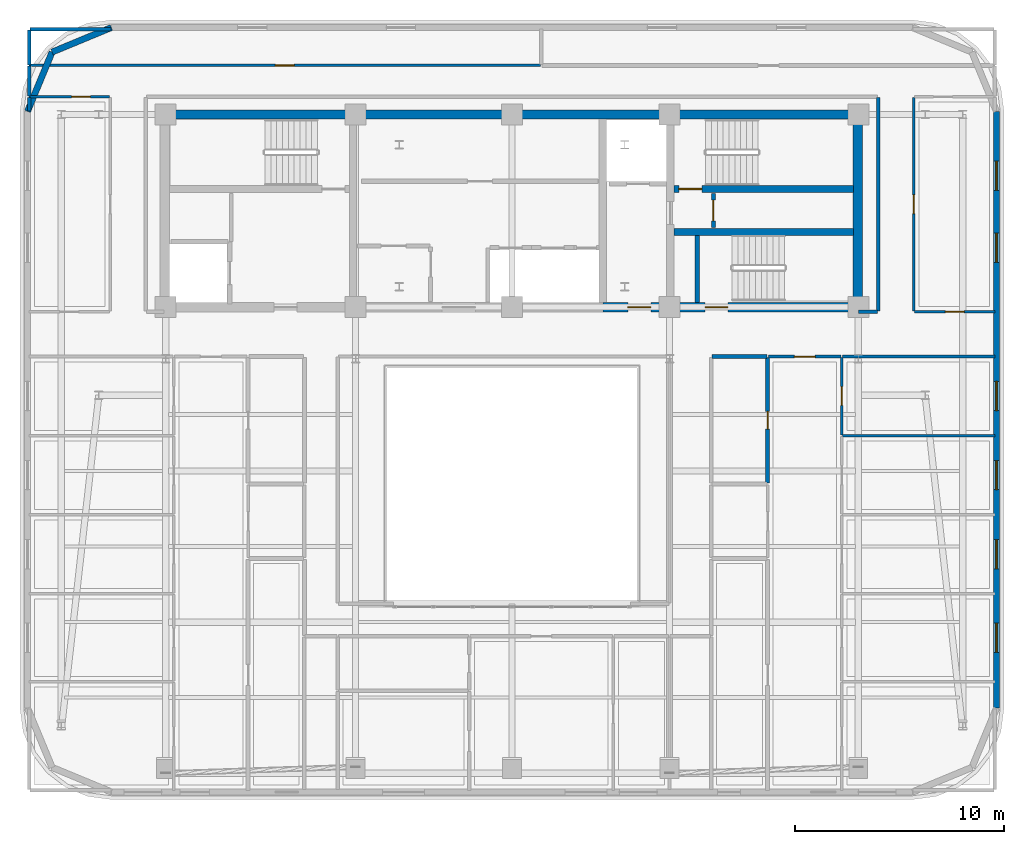
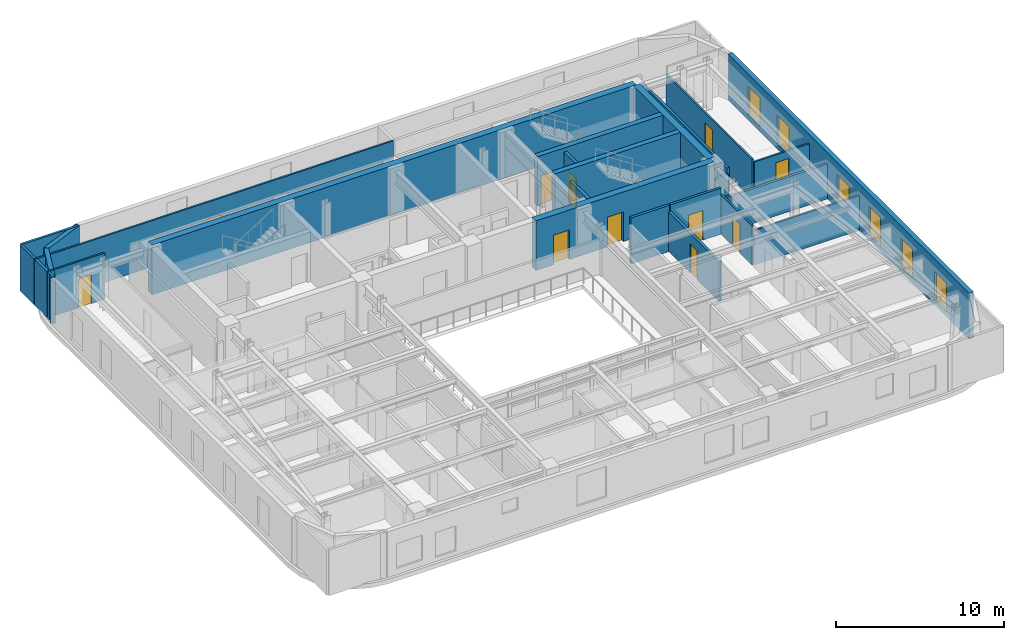
# One storey, part 9 of 14: 26 walls, 11 doors, 6 windows, 17 openings.
"""IFC4 building model written with IfcOpenShell, lengths in metres."""

from ifc_helpers import new_model, si_unit, direction, frame, frame_2d, origin, place, context, subcontext, project, spatial, rectangle, extrude, material, layer, layer_set, type_object, element, fill, save


model = new_model("IFC4")

# Units and contexts
model_context = context("Model", 3, precision=1e-05, world=origin(), true_north=direction((0.0, 1.0)))
body_context = subcontext(model_context, "Body", "Model", "MODEL_VIEW")
ifc_project = project(units=[si_unit("LENGTHUNIT", "METRE"), si_unit("AREAUNIT", "SQUARE_METRE"), si_unit("VOLUMEUNIT", "CUBIC_METRE"), si_unit("PLANEANGLEUNIT", "RADIAN"), si_unit("MASSUNIT", "GRAM", prefix="KILO")], contexts=[model_context])

# Site, building, storey
site_placement = place(None, origin())
site = spatial("IfcSite", under=ifc_project, at=site_placement, CompositionType="ELEMENT")
building_placement = place(site_placement, origin())
building = spatial("IfcBuilding", under=site, at=building_placement, Name="Zarnavel Station Tower", CompositionType="ELEMENT")
storey_placement = place(building_placement, frame((0.0, 0.0, 225.60009765625)))
storey = spatial("IfcBuildingStorey", under=building, at=storey_placement, Name="L61", CompositionType="ELEMENT", Elevation=225.60009765625)

# Wall, opening, door
ifc_material_1 = material(Name="Concrete C50/60", Category="concrete")
ifc_layer_1 = layer(ifc_material_1, 0.35009765625)
ifc_layer_set_1 = layer_set([ifc_layer_1], Name="CW_350")
wall_type_1 = type_object("IfcWallType", Name="CW_350", PredefinedType="SHEAR", material=ifc_layer_set_1)
wall_1_placement = place(storey_placement, frame((45.155029296875, 33.47998046875, 0.0), z_axis=(0.0, 0.0, 1.0), x_axis=(-1.0, 0.0, 0.0)))
wall_1 = element("IfcWall", 1, at=wall_1_placement, inside=storey, type_object=wall_type_1, Name="L61 Rear Core Shear Wall DIV-H2", PredefinedType="SHEAR", context=body_context, shape_type="SweptSolid", body=[
    extrude(rectangle(XDim=8.60009765625, YDim=0.35009765625, at=frame_2d((4.300048828125, 0.0))), origin(), (0.0, 0.0, 1.0), 3.599853515625),
])
opening_1_placement = place(wall_1_placement, frame((7.2548828125, 0.0, 0.0)))
opening_1 = element("IfcOpeningElement", 2, at=opening_1_placement, cuts=wall_1, Name="Opening FD01", PredefinedType="OPENING", context=body_context, shape_type="SweptSolid", body=[
    extrude(rectangle(XDim=1.10009765625, YDim=2.14990234375, at=frame_2d((0.550048828125, 1.074951171875))), frame((0.0, 0.18505859375, 0.0), z_axis=(0.0, -1.0, 0.0), x_axis=(1.0, 0.0, 0.0)), (0.0, 0.0, 1.0), 0.3701171875),
])
ifc_material_2 = material(Name="Painted Galvanised Steel and Hardwood Leaf", Category="steel")
door_type_1 = type_object("IfcDoorType", Name="ID_STAIR_1100", OperationType="NOTDEFINED", PredefinedType="DOOR", material=ifc_material_2)
door_1_placement = place(opening_1_placement, origin())
door_1 = element("IfcDoor", 3, at=door_1_placement, inside=storey, type_object=door_type_1, Name="L61 Stair ST2 Lobby Fire Door", OperationType="SINGLE_SWING_RIGHT", OverallHeight=2.14990234375, OverallWidth=1.10009765625, PredefinedType="DOOR", context=body_context, shape_type="SweptSolid", body=[
    extrude(rectangle(XDim=1.10009765625, YDim=2.14990234375, at=frame_2d((0.550048828125, 1.074951171875))), frame((0.0, 0.02490234375, 0.0), z_axis=(0.0, -1.0, 0.0), x_axis=(1.0, 0.0, 0.0)), (0.0, 0.0, 1.0), 0.050048828125),
])
fill(opening_1, door_1)

# Walls
wall_2_placement = place(storey_placement, frame((36.554931640625, 31.419921875, 0.0), z_axis=(0.0, 0.0, 1.0), x_axis=(1.0, 0.0, 0.0)))
element("IfcWall", 4, at=wall_2_placement, inside=storey, type_object=wall_type_1, Name="L61 Rear Core Shear Wall DIV-H3", PredefinedType="SHEAR", context=body_context, shape_type="SweptSolid", body=[
    extrude(rectangle(XDim=8.60009765625, YDim=0.35009765625, at=frame_2d((4.300048828125, 0.0))), origin(), (0.0, 0.0, 1.0), 3.599853515625),
])
ifc_material_3 = material(Name="Concrete C50/60", Category="concrete")
ifc_layer_2 = layer(ifc_material_3, 0.449951171875)
ifc_layer_set_2 = layer_set([ifc_layer_2], Name="CW_450")
wall_type_2 = type_object("IfcWallType", Name="CW_450", PredefinedType="SHEAR", material=ifc_layer_set_2)
wall_3_placement = place(storey_placement, frame((12.14990234375, 37.050048828125, 0.0), z_axis=(0.0, 0.0, 1.0), x_axis=(1.0, 0.0, 0.0)))
element("IfcWall", 5, at=wall_3_placement, inside=storey, type_object=wall_type_2, Name="L61 Rear Core Shear Wall N", PredefinedType="SHEAR", context=body_context, shape_type="SweptSolid", body=[
    extrude(rectangle(XDim=33.22998046875, YDim=0.449951171875, at=frame_2d((16.614990234375, 0.0))), origin(), (0.0, 0.0, 1.0), 3.599853515625),
])

# Wall, openings, doors
wall_4_placement = place(storey_placement, frame((45.3798828125, 27.820068359375, 0.0), z_axis=(0.0, 0.0, 1.0), x_axis=(-1.0, 0.0, 0.0)))
wall_4 = element("IfcWall", 6, at=wall_4_placement, inside=storey, type_object=wall_type_2, Name="L61 Rear Core Shear Wall S-E", PredefinedType="SHEAR", context=body_context, shape_type="SweptSolid", body=[
    extrude(rectangle(XDim=12.22998046875, YDim=0.449951171875, at=frame_2d((6.114990234375, 0.0))), origin(), (0.0, 0.0, 1.0), 3.599853515625),
])
opening_2_placement = place(wall_4_placement, frame((9.929931640625, 0.0, 0.0)))
opening_2 = element("IfcOpeningElement", 7, at=opening_2_placement, cuts=wall_4, Name="Opening FD01", PredefinedType="OPENING", context=body_context, shape_type="SweptSolid", body=[
    extrude(rectangle(XDim=1.10009765625, YDim=2.14990234375, at=frame_2d((0.550048828125, 1.074951171875))), frame((0.0, 0.23486328125, 0.0), z_axis=(0.0, -1.0, 0.0), x_axis=(1.0, 0.0, 0.0)), (0.0, 0.0, 1.0), 0.469970703125),
])
opening_3_placement = place(wall_4_placement, frame((6.22998046875, 0.0, 0.0)))
opening_3 = element("IfcOpeningElement", 8, at=opening_3_placement, cuts=wall_4, Name="Opening FD01", PredefinedType="OPENING", context=body_context, shape_type="SweptSolid", body=[
    extrude(rectangle(XDim=1.10009765625, YDim=2.14990234375, at=frame_2d((0.550048828125, 1.074951171875))), frame((0.0, 0.23486328125, 0.0), z_axis=(0.0, -1.0, 0.0), x_axis=(1.0, 0.0, 0.0)), (0.0, 0.0, 1.0), 0.469970703125),
])
door_2_placement = place(opening_2_placement, origin())
door_2 = element("IfcDoor", 9, at=door_2_placement, inside=storey, type_object=door_type_1, Name="L61 East Firefighting Lobby Door", OperationType="SINGLE_SWING_LEFT", OverallHeight=2.14990234375, OverallWidth=1.10009765625, PredefinedType="DOOR", context=body_context, shape_type="SweptSolid", body=[
    extrude(rectangle(XDim=1.10009765625, YDim=2.14990234375, at=frame_2d((0.550048828125, 1.074951171875))), frame((0.0, 0.02490234375, 0.0), z_axis=(0.0, -1.0, 0.0), x_axis=(1.0, 0.0, 0.0)), (0.0, 0.0, 1.0), 0.050048828125),
])
fill(opening_2, door_2)
door_3_placement = place(opening_3_placement, origin())
door_3 = element("IfcDoor", 10, at=door_3_placement, inside=storey, type_object=door_type_1, Name="L61 Stair ST3 Corridor Fire Door", OperationType="SINGLE_SWING_RIGHT", OverallHeight=2.14990234375, OverallWidth=1.10009765625, PredefinedType="DOOR", context=body_context, shape_type="SweptSolid", body=[
    extrude(rectangle(XDim=1.10009765625, YDim=2.14990234375, at=frame_2d((0.550048828125, 1.074951171875))), frame((0.0, 0.02490234375, 0.0), z_axis=(0.0, -1.0, 0.0), x_axis=(1.0, 0.0, 0.0)), (0.0, 0.0, 1.0), 0.050048828125),
])
fill(opening_3, door_3)

# Wall
wall_5_placement = place(storey_placement, frame((45.3798828125, 28.044921875, 0.0), z_axis=(0.0, 0.0, 1.0), x_axis=(0.0, 1.0, 0.0)))
element("IfcWall", 11, at=wall_5_placement, inside=storey, type_object=wall_type_2, Name="L61 Rear Core Shear Wall E", PredefinedType="SHEAR", context=body_context, shape_type="SweptSolid", body=[
    extrude(rectangle(XDim=8.780029296875, YDim=0.449951171875, at=frame_2d((4.39013671875, 0.0))), origin(), (0.0, 0.0, 1.0), 3.599853515625),
])

# Wall, openings, windows
ifc_material_4 = material(Name="Precast concrete C45/55 (Dark Basalt Finish)", Category="masonry")
ifc_layer_3 = layer(ifc_material_4, 0.300048828125)
ifc_layer_set_3 = layer_set([ifc_layer_3], Name="EW_BASALT_300")
wall_type_3 = type_object("IfcWallType", Name="EW_BASALT_300", PredefinedType="SOLIDWALL", material=ifc_layer_set_3)
wall_6_placement = place(storey_placement, frame((52.02001953125, 37.199951171875, 0.0), z_axis=(0.0, 0.0, 1.0), x_axis=(0.0, -1.0, 0.0)))
wall_6 = element("IfcWall", 12, at=wall_6_placement, inside=storey, type_object=wall_type_3, Name="L61 Exterior Basalt Masonry Frame Wall 03", PredefinedType="SOLIDWALL", context=body_context, shape_type="SweptSolid", body=[
    extrude(rectangle(XDim=28.599853515625, YDim=0.300048828125, at=frame_2d((14.2998046875, 0.0))), origin(), (0.0, 0.0, 1.0), 3.33984375),
])
opening_4_placement = place(wall_6_placement, frame((2.3798828125, 0.0, 0.340087890625)))
opening_4 = element("IfcOpeningElement", 13, at=opening_4_placement, cuts=wall_6, Name="Opening WN04", PredefinedType="OPENING", context=body_context, shape_type="SweptSolid", body=[
    extrude(rectangle(XDim=1.39990234375, YDim=2.10009765625, at=frame_2d((0.699951171875, 1.050048828125))), frame((0.0, 0.159912109375, 0.0), z_axis=(0.0, -1.0, 0.0), x_axis=(1.0, 0.0, 0.0)), (0.0, 0.0, 1.0), 0.320068359375),
])
opening_5_placement = place(wall_6_placement, frame((5.840087890625, 0.0, 0.340087890625)))
opening_5 = element("IfcOpeningElement", 14, at=opening_5_placement, cuts=wall_6, Name="Opening WN04", PredefinedType="OPENING", context=body_context, shape_type="SweptSolid", body=[
    extrude(rectangle(XDim=1.39990234375, YDim=2.10009765625, at=frame_2d((0.699951171875, 1.050048828125))), frame((0.0, 0.159912109375, 0.0), z_axis=(0.0, -1.0, 0.0), x_axis=(1.0, 0.0, 0.0)), (0.0, 0.0, 1.0), 0.320068359375),
])
opening_6_placement = place(wall_6_placement, frame((24.529052734375, 0.0, 0.340087890625)))
opening_6 = element("IfcOpeningElement", 15, at=opening_6_placement, cuts=wall_6, Name="Opening WN04", PredefinedType="OPENING", context=body_context, shape_type="SweptSolid", body=[
    extrude(rectangle(XDim=1.39990234375, YDim=2.10009765625, at=frame_2d((0.699951171875, 1.050048828125))), frame((0.0, 0.159912109375, 0.0), z_axis=(0.0, -1.0, 0.0), x_axis=(1.0, 0.0, 0.0)), (0.0, 0.0, 1.0), 0.320068359375),
])
opening_7_placement = place(wall_6_placement, frame((20.52099609375, 0.0, 0.340087890625)))
opening_7 = element("IfcOpeningElement", 16, at=opening_7_placement, cuts=wall_6, Name="Opening WN04", PredefinedType="OPENING", context=body_context, shape_type="SweptSolid", body=[
    extrude(rectangle(XDim=1.39990234375, YDim=2.10009765625, at=frame_2d((0.699951171875, 1.050048828125))), frame((0.0, 0.159912109375, 0.0), z_axis=(0.0, -1.0, 0.0), x_axis=(1.0, 0.0, 0.0)), (0.0, 0.0, 1.0), 0.320068359375),
])
opening_8_placement = place(wall_6_placement, frame((16.73291015625, 0.0, 0.340087890625)))
opening_8 = element("IfcOpeningElement", 17, at=opening_8_placement, cuts=wall_6, Name="Opening WN04", PredefinedType="OPENING", context=body_context, shape_type="SweptSolid", body=[
    extrude(rectangle(XDim=1.39990234375, YDim=2.10009765625, at=frame_2d((0.699951171875, 1.050048828125))), frame((0.0, 0.159912109375, 0.0), z_axis=(0.0, -1.0, 0.0), x_axis=(1.0, 0.0, 0.0)), (0.0, 0.0, 1.0), 0.320068359375),
])
opening_9_placement = place(wall_6_placement, frame((12.944580078125, 0.0, 0.340087890625)))
opening_9 = element("IfcOpeningElement", 18, at=opening_9_placement, cuts=wall_6, Name="Opening WN04", PredefinedType="OPENING", context=body_context, shape_type="SweptSolid", body=[
    extrude(rectangle(XDim=1.39990234375, YDim=2.10009765625, at=frame_2d((0.699951171875, 1.050048828125))), frame((0.0, 0.159912109375, 0.0), z_axis=(0.0, -1.0, 0.0), x_axis=(1.0, 0.0, 0.0)), (0.0, 0.0, 1.0), 0.320068359375),
])
ifc_material_5 = material(Name="Thermally Broken Black Aluminium and Low-E Dark Glass", Category="aluminium")
window_type = type_object("IfcWindowType", Name="WN_1400x2100", PartitioningType="DOUBLE_PANEL_VERTICAL", PredefinedType="WINDOW", material=ifc_material_5)
window_1_placement = place(opening_4_placement, origin())
window_1 = element("IfcWindow", 19, at=window_1_placement, inside=storey, type_object=window_type, Name="L61 Recessed Facade Window 01", OverallHeight=2.10009765625, OverallWidth=1.39990234375, PartitioningType="SINGLE_PANEL", PredefinedType="WINDOW", context=body_context, shape_type="SweptSolid", body=[
    extrude(rectangle(XDim=1.39990234375, YDim=2.10009765625, at=frame_2d((0.699951171875, 1.050048828125))), frame((0.0, 0.030029296875, 0.0), z_axis=(0.0, -1.0, 0.0), x_axis=(1.0, 0.0, 0.0)), (0.0, 0.0, 1.0), 0.06005859375),
])
fill(opening_4, window_1)
window_2_placement = place(opening_5_placement, origin())
window_2 = element("IfcWindow", 20, at=window_2_placement, inside=storey, type_object=window_type, Name="L61 Recessed Facade Window 02", OverallHeight=2.10009765625, OverallWidth=1.39990234375, PartitioningType="SINGLE_PANEL", PredefinedType="WINDOW", context=body_context, shape_type="SweptSolid", body=[
    extrude(rectangle(XDim=1.39990234375, YDim=2.10009765625, at=frame_2d((0.699951171875, 1.050048828125))), frame((0.0, 0.030029296875, 0.0), z_axis=(0.0, -1.0, 0.0), x_axis=(1.0, 0.0, 0.0)), (0.0, 0.0, 1.0), 0.06005859375),
])
fill(opening_5, window_2)
window_3_placement = place(opening_6_placement, origin())
window_3 = element("IfcWindow", 21, at=window_3_placement, inside=storey, type_object=window_type, Name="L61 Recessed Facade Window 03", OverallHeight=2.10009765625, OverallWidth=1.39990234375, PartitioningType="SINGLE_PANEL", PredefinedType="WINDOW", context=body_context, shape_type="SweptSolid", body=[
    extrude(rectangle(XDim=1.39990234375, YDim=2.10009765625, at=frame_2d((0.699951171875, 1.050048828125))), frame((0.0, 0.030029296875, 0.0), z_axis=(0.0, -1.0, 0.0), x_axis=(1.0, 0.0, 0.0)), (0.0, 0.0, 1.0), 0.06005859375),
])
fill(opening_6, window_3)
window_4_placement = place(opening_7_placement, origin())
window_4 = element("IfcWindow", 22, at=window_4_placement, inside=storey, type_object=window_type, Name="L61 Recessed Facade Window 04", OverallHeight=2.10009765625, OverallWidth=1.39990234375, PartitioningType="SINGLE_PANEL", PredefinedType="WINDOW", context=body_context, shape_type="SweptSolid", body=[
    extrude(rectangle(XDim=1.39990234375, YDim=2.10009765625, at=frame_2d((0.699951171875, 1.050048828125))), frame((0.0, 0.030029296875, 0.0), z_axis=(0.0, -1.0, 0.0), x_axis=(1.0, 0.0, 0.0)), (0.0, 0.0, 1.0), 0.06005859375),
])
fill(opening_7, window_4)
window_5_placement = place(opening_8_placement, origin())
window_5 = element("IfcWindow", 23, at=window_5_placement, inside=storey, type_object=window_type, Name="L61 Recessed Facade Window 05", OverallHeight=2.10009765625, OverallWidth=1.39990234375, PartitioningType="SINGLE_PANEL", PredefinedType="WINDOW", context=body_context, shape_type="SweptSolid", body=[
    extrude(rectangle(XDim=1.39990234375, YDim=2.10009765625, at=frame_2d((0.699951171875, 1.050048828125))), frame((0.0, 0.030029296875, 0.0), z_axis=(0.0, -1.0, 0.0), x_axis=(1.0, 0.0, 0.0)), (0.0, 0.0, 1.0), 0.06005859375),
])
fill(opening_8, window_5)
window_6_placement = place(opening_9_placement, origin())
window_6 = element("IfcWindow", 24, at=window_6_placement, inside=storey, type_object=window_type, Name="L61 Recessed Facade Window 06", OverallHeight=2.10009765625, OverallWidth=1.39990234375, PartitioningType="SINGLE_PANEL", PredefinedType="WINDOW", context=body_context, shape_type="SweptSolid", body=[
    extrude(rectangle(XDim=1.39990234375, YDim=2.10009765625, at=frame_2d((0.699951171875, 1.050048828125))), frame((0.0, 0.030029296875, 0.0), z_axis=(0.0, -1.0, 0.0), x_axis=(1.0, 0.0, 0.0)), (0.0, 0.0, 1.0), 0.06005859375),
])
fill(opening_9, window_6)

# Walls
wall_7_placement = place(storey_placement, frame((6.75732421875, 40.04248046875, 0.0), z_axis=(0.0, 0.0, 1.0), x_axis=(0.923882414032, 0.382676475685, 0.0)))
element("IfcWall", 25, at=wall_7_placement, inside=storey, type_object=wall_type_3, Name="L61 Exterior Basalt Masonry Frame Wall 07", PredefinedType="SOLIDWALL", context=body_context, shape_type="SweptSolid", body=[
    extrude(rectangle(XDim=3.076904296875, YDim=0.300048828125, at=frame_2d((1.53857421875, 0.0))), origin(), (0.0, 0.0, 1.0), 3.33984375),
])
wall_8_placement = place(storey_placement, frame((5.580078125, 37.199951171875, 0.0), z_axis=(0.0, 0.0, 1.0), x_axis=(0.382636798336, 0.92389884758, 0.0)))
element("IfcWall", 26, at=wall_8_placement, inside=storey, type_object=wall_type_3, Name="L61 Exterior Basalt Masonry Frame Wall 08", PredefinedType="SOLIDWALL", context=body_context, shape_type="SweptSolid", body=[
    extrude(rectangle(XDim=3.07666015625, YDim=0.300048828125, at=frame_2d((1.538330078125, 0.0))), origin(), (0.0, 0.0, 1.0), 3.33984375),
])

# Wall, opening, door
ifc_material_6 = material(Name="Gypsum Twin-Stud Acoustic Fire Partition", Category="concrete")
ifc_layer_4 = layer(ifc_material_6, 0.159912109375)
ifc_layer_set_4 = layer_set([ifc_layer_4], Name="PT_DEMISE_160")
wall_type_4 = type_object("IfcWallType", Name="PT_DEMISE_160", PredefinedType="PARTITIONING", material=ifc_layer_set_4)
wall_9_placement = place(storey_placement, frame((41.090087890625, 25.449951171875, 0.0), z_axis=(0.0, 0.0, 1.0), x_axis=(1.0, 0.0, 0.0)))
wall_9 = element("IfcWall", 27, at=wall_9_placement, inside=storey, type_object=wall_type_4, Name="L61 Partition COR-S-UE1LV", PredefinedType="PARTITIONING", context=body_context, shape_type="SweptSolid", body=[
    extrude(rectangle(XDim=3.47900390625, YDim=0.159912109375, at=frame_2d((1.739501953125, 0.0))), origin(), (0.0, 0.0, 1.0), 3.33984375),
])
opening_10_placement = place(wall_9_placement, frame((1.239501953125, 0.0, 0.0)))
opening_10 = element("IfcOpeningElement", 28, at=opening_10_placement, cuts=wall_9, Name="Opening FD02", PredefinedType="OPENING", context=body_context, shape_type="SweptSolid", body=[
    extrude(rectangle(XDim=1.0, YDim=2.14990234375, at=frame_2d((0.5, 1.074951171875))), frame((0.0, 0.08984375, 0.0), z_axis=(0.0, -1.0, 0.0), x_axis=(1.0, 0.0, 0.0)), (0.0, 0.0, 1.0), 0.179931640625),
])
ifc_material_7 = material(Name="Painted Galvanised Steel and Hardwood Leaf", Category="steel")
door_type_2 = type_object("IfcDoorType", Name="ID_ENTRY_1000", OperationType="NOTDEFINED", PredefinedType="DOOR", material=ifc_material_7)
door_4_placement = place(opening_10_placement, origin())
door_4 = element("IfcDoor", 29, at=door_4_placement, inside=storey, type_object=door_type_2, Name="L61 Door COR-S-UE1LV", OperationType="SINGLE_SWING_LEFT", OverallHeight=2.14990234375, OverallWidth=1.0, PredefinedType="DOOR", context=body_context, shape_type="SweptSolid", body=[
    extrude(rectangle(XDim=1.0, YDim=2.14990234375, at=frame_2d((0.5, 1.074951171875))), frame((0.0, 0.02490234375, 0.0), z_axis=(0.0, -1.0, 0.0), x_axis=(1.0, 0.0, 0.0)), (0.0, 0.0, 1.0), 0.050048828125),
])
fill(opening_10, door_4)

# Walls
wall_10_placement = place(storey_placement, frame((44.64892578125, 25.449951171875, 0.0), z_axis=(0.0, 0.0, 1.0), x_axis=(1.0, 0.0, 0.0)))
element("IfcWall", 30, at=wall_10_placement, inside=storey, type_object=wall_type_4, Name="L61 Partition COR-S-UE1B5", PredefinedType="PARTITIONING", context=body_context, shape_type="SweptSolid", body=[
    extrude(rectangle(XDim=7.291015625, YDim=0.159912109375, at=frame_2d((3.6455078125, 0.0))), origin(), (0.0, 0.0, 1.0), 2.52001953125),
])
wall_11_placement = place(storey_placement, frame((45.409912109375, 27.60009765625, 0.0), z_axis=(0.0, 0.0, 1.0), x_axis=(1.0, 0.0, 0.0)))
element("IfcWall", 31, at=wall_11_placement, inside=storey, type_object=wall_type_4, Name="L61 Enclosure Wall COR-S", PredefinedType="PARTITIONING", context=body_context, shape_type="SweptSolid", body=[
    extrude(rectangle(XDim=0.91015625, YDim=0.159912109375, at=frame_2d((0.455078125, 0.0))), origin(), (0.0, 0.0, 1.0), 2.409912109375),
])
wall_12_placement = place(storey_placement, frame((46.35009765625, 27.6298828125, 0.0), z_axis=(0.0, 0.0, 1.0), x_axis=(0.0, 1.0, 0.0)))
element("IfcWall", 32, at=wall_12_placement, inside=storey, type_object=wall_type_4, Name="L61 Enclosure Wall COR-E", PredefinedType="PARTITIONING", context=body_context, shape_type="SweptSolid", body=[
    extrude(rectangle(XDim=10.240234375, YDim=0.159912109375, at=frame_2d((5.1201171875, 0.0))), origin(), (0.0, 0.0, 1.0), 2.81982421875),
])
wall_13_placement = place(storey_placement, frame((5.659912109375, 37.929931640625, 0.0), z_axis=(0.0, 0.0, 1.0), x_axis=(0.0, 1.0, 0.0)))
element("IfcWall", 33, at=wall_13_placement, inside=storey, type_object=wall_type_4, Name="L61 Enclosure Wall COR-N", PredefinedType="PARTITIONING", context=body_context, shape_type="SweptSolid", body=[
    extrude(rectangle(XDim=1.440185546875, YDim=0.159912109375, at=frame_2d((0.72021484375, 0.0))), origin(), (0.0, 0.0, 1.0), 3.33984375),
])
wall_14_placement = place(storey_placement, frame((5.659912109375, 37.22998046875, 0.0), z_axis=(0.0, 0.0, 1.0), x_axis=(0.0, 1.0, 0.0)))
element("IfcWall", 34, at=wall_14_placement, inside=storey, type_object=wall_type_4, Name="L61 Enclosure Wall FNW", PredefinedType="PARTITIONING", context=body_context, shape_type="SweptSolid", body=[
    extrude(rectangle(XDim=0.64013671875, YDim=0.159912109375, at=frame_2d((0.320068359375, 0.0))), origin(), (0.0, 0.0, 1.0), 3.33984375),
])
wall_15_placement = place(storey_placement, frame((5.68994140625, 41.139892578125, 0.0), z_axis=(0.0, 0.0, 1.0), x_axis=(1.0, 0.0, 0.0)))
element("IfcWall", 35, at=wall_15_placement, inside=storey, type_object=wall_type_4, Name="L61 Enclosure Wall NLOU", PredefinedType="PARTITIONING", context=body_context, shape_type="SweptSolid", body=[
    extrude(rectangle(XDim=3.880126953125, YDim=0.159912109375, at=frame_2d((1.93994140625, 0.0))), origin(), (0.0, 0.0, 1.0), 3.33984375),
])
wall_16_placement = place(storey_placement, frame((5.659912109375, 39.429931640625, 0.0), z_axis=(0.0, 0.0, 1.0), x_axis=(0.0, 1.0, 0.0)))
element("IfcWall", 36, at=wall_16_placement, inside=storey, type_object=wall_type_4, Name="L61 Enclosure Wall NLOU", PredefinedType="PARTITIONING", context=body_context, shape_type="SweptSolid", body=[
    extrude(rectangle(XDim=1.68017578125, YDim=0.159912109375, at=frame_2d((0.840087890625, 0.0))), origin(), (0.0, 0.0, 1.0), 3.33984375),
])

# Wall, opening, door
ifc_material_8 = material(Name="Gypsum Metal-Stud Interior Partition", Category="concrete")
ifc_layer_5 = layer(ifc_material_8, 0.1201171875)
ifc_layer_set_5 = layer_set([ifc_layer_5], Name="PT_ROOM_120")
wall_type_5 = type_object("IfcWallType", Name="PT_ROOM_120", PredefinedType="PARTITIONING", material=ifc_layer_set_5)
wall_17_placement = place(storey_placement, frame((48.090087890625, 27.60009765625, 0.0), z_axis=(0.0, 0.0, 1.0), x_axis=(1.0, 0.0, 0.0)))
wall_17 = element("IfcWall", 37, at=wall_17_placement, inside=storey, type_object=wall_type_5, Name="L61 Partition COR-S-FNE", PredefinedType="PARTITIONING", context=body_context, shape_type="SweptSolid", body=[
    extrude(rectangle(XDim=3.849853515625, YDim=0.1201171875, at=frame_2d((1.9248046875, 0.0))), origin(), (0.0, 0.0, 1.0), 2.669921875),
])
opening_11_placement = place(wall_17_placement, frame((1.47509765625, 0.0, 0.0)))
opening_11 = element("IfcOpeningElement", 38, at=opening_11_placement, cuts=wall_17, Name="Opening ID01", PredefinedType="OPENING", context=body_context, shape_type="SweptSolid", body=[
    extrude(rectangle(XDim=0.89990234375, YDim=2.10009765625, at=frame_2d((0.449951171875, 1.050048828125))), frame((0.0, 0.070068359375, 0.0), z_axis=(0.0, -1.0, 0.0), x_axis=(1.0, 0.0, 0.0)), (0.0, 0.0, 1.0), 0.14013671875),
])
ifc_material_9 = material(Name="Painted Galvanised Steel and Hardwood Leaf", Category="steel")
door_type_3 = type_object("IfcDoorType", Name="ID_ROOM_900", OperationType="NOTDEFINED", PredefinedType="DOOR", material=ifc_material_9)
door_5_placement = place(opening_11_placement, origin())
door_5 = element("IfcDoor", 39, at=door_5_placement, inside=storey, type_object=door_type_3, Name="L61 Door COR-S-FNE", OperationType="SINGLE_SWING_LEFT", OverallHeight=2.10009765625, OverallWidth=0.89990234375, PredefinedType="DOOR", context=body_context, shape_type="SweptSolid", body=[
    extrude(rectangle(XDim=0.89990234375, YDim=2.10009765625, at=frame_2d((0.449951171875, 1.050048828125))), frame((0.0, 0.02490234375, 0.0), z_axis=(0.0, -1.0, 0.0), x_axis=(1.0, 0.0, 0.0)), (0.0, 0.0, 1.0), 0.050048828125),
])
fill(opening_11, door_5)

wall_18_placement = place(storey_placement, frame((48.050048828125, 27.639892578125, 0.0), z_axis=(0.0, 0.0, 1.0), x_axis=(0.0, 1.0, 0.0)))
wall_18 = element("IfcWall", 40, at=wall_18_placement, inside=storey, type_object=wall_type_5, Name="L61 Partition COR-E-FNE", PredefinedType="PARTITIONING", context=body_context, shape_type="SweptSolid", body=[
    extrude(rectangle(XDim=10.22021484375, YDim=0.1201171875, at=frame_2d((5.110107421875, 0.0))), origin(), (0.0, 0.0, 1.0), 2.81982421875),
])
opening_12_placement = place(wall_18_placement, frame((4.659912109375, 0.0, 0.0)))
opening_12 = element("IfcOpeningElement", 41, at=opening_12_placement, cuts=wall_18, Name="Opening ID01", PredefinedType="OPENING", context=body_context, shape_type="SweptSolid", body=[
    extrude(rectangle(XDim=0.89990234375, YDim=2.10009765625, at=frame_2d((0.449951171875, 1.050048828125))), frame((0.0, 0.070068359375, 0.0), z_axis=(0.0, -1.0, 0.0), x_axis=(1.0, 0.0, 0.0)), (0.0, 0.0, 1.0), 0.14013671875),
])
door_6_placement = place(opening_12_placement, origin())
door_6 = element("IfcDoor", 42, at=door_6_placement, inside=storey, type_object=door_type_3, Name="L61 Door COR-E-FNE", OperationType="SINGLE_SWING_RIGHT", OverallHeight=2.10009765625, OverallWidth=0.89990234375, PredefinedType="DOOR", context=body_context, shape_type="SweptSolid", body=[
    extrude(rectangle(XDim=0.89990234375, YDim=2.10009765625, at=frame_2d((0.449951171875, 1.050048828125))), frame((0.0, 0.02490234375, 0.0), z_axis=(0.0, -1.0, 0.0), x_axis=(1.0, 0.0, 0.0)), (0.0, 0.0, 1.0), 0.050048828125),
])
fill(opening_12, door_6)

wall_19_placement = place(storey_placement, frame((5.659912109375, 37.89990234375, 0.0), z_axis=(0.0, 0.0, 1.0), x_axis=(1.0, 0.0, 0.0)))
wall_19 = element("IfcWall", 43, at=wall_19_placement, inside=storey, type_object=wall_type_5, Name="L61 Partition COR-N-FNW", PredefinedType="PARTITIONING", context=body_context, shape_type="SweptSolid", body=[
    extrude(rectangle(XDim=3.85009765625, YDim=0.1201171875, at=frame_2d((1.925048828125, 0.0))), origin(), (0.0, 0.0, 1.0), 3.33984375),
])
opening_13_placement = place(wall_19_placement, frame((2.03125, 0.0, 0.0)))
opening_13 = element("IfcOpeningElement", 44, at=opening_13_placement, cuts=wall_19, Name="Opening ID01", PredefinedType="OPENING", context=body_context, shape_type="SweptSolid", body=[
    extrude(rectangle(XDim=0.89990234375, YDim=2.10009765625, at=frame_2d((0.449951171875, 1.050048828125))), frame((0.0, 0.070068359375, 0.0), z_axis=(0.0, -1.0, 0.0), x_axis=(1.0, 0.0, 0.0)), (0.0, 0.0, 1.0), 0.14013671875),
])
door_7_placement = place(opening_13_placement, origin())
door_7 = element("IfcDoor", 45, at=door_7_placement, inside=storey, type_object=door_type_3, Name="L61 Door COR-N-FNW", OperationType="SINGLE_SWING_LEFT", OverallHeight=2.10009765625, OverallWidth=0.89990234375, PredefinedType="DOOR", context=body_context, shape_type="SweptSolid", body=[
    extrude(rectangle(XDim=0.89990234375, YDim=2.10009765625, at=frame_2d((0.449951171875, 1.050048828125))), frame((0.0, 0.02490234375, 0.0), z_axis=(0.0, -1.0, 0.0), x_axis=(1.0, 0.0, 0.0)), (0.0, 0.0, 1.0), 0.050048828125),
])
fill(opening_13, door_7)

wall_20_placement = place(storey_placement, frame((5.659912109375, 39.39990234375, 0.0), z_axis=(0.0, 0.0, 1.0), x_axis=(1.0, 0.0, 0.0)))
wall_20 = element("IfcWall", 46, at=wall_20_placement, inside=storey, type_object=wall_type_5, Name="L61 Partition COR-N-NLOU", PredefinedType="PARTITIONING", context=body_context, shape_type="SweptSolid", body=[
    extrude(rectangle(XDim=24.5, YDim=0.1201171875, at=frame_2d((12.25, 0.0))), origin(), (0.0, 0.0, 1.0), 3.33984375),
])
opening_14_placement = place(wall_20_placement, frame((11.800048828125, 0.0, 0.0)))
opening_14 = element("IfcOpeningElement", 47, at=opening_14_placement, cuts=wall_20, Name="Opening ID01", PredefinedType="OPENING", context=body_context, shape_type="SweptSolid", body=[
    extrude(rectangle(XDim=0.89990234375, YDim=2.10009765625, at=frame_2d((0.449951171875, 1.050048828125))), frame((0.0, 0.070068359375, 0.0), z_axis=(0.0, -1.0, 0.0), x_axis=(1.0, 0.0, 0.0)), (0.0, 0.0, 1.0), 0.14013671875),
])
door_8_placement = place(opening_14_placement, origin())
door_8 = element("IfcDoor", 48, at=door_8_placement, inside=storey, type_object=door_type_3, Name="L61 Door COR-N-NLOU", OperationType="SINGLE_SWING_LEFT", OverallHeight=2.10009765625, OverallWidth=0.89990234375, PredefinedType="DOOR", context=body_context, shape_type="SweptSolid", body=[
    extrude(rectangle(XDim=0.89990234375, YDim=2.10009765625, at=frame_2d((0.449951171875, 1.050048828125))), frame((0.0, 0.02490234375, 0.0), z_axis=(0.0, -1.0, 0.0), x_axis=(1.0, 0.0, 0.0)), (0.0, 0.0, 1.0), 0.050048828125),
])
fill(opening_14, door_8)

wall_21_placement = place(storey_placement, frame((44.60888671875, 21.700927734375, 0.0), z_axis=(0.0, 0.0, 1.0), x_axis=(0.0, 1.0, 0.0)))
wall_21 = element("IfcWall", 49, at=wall_21_placement, inside=storey, type_object=wall_type_5, Name="L61 Partition UE1LV-UE1B5", PredefinedType="PARTITIONING", context=body_context, shape_type="SweptSolid", body=[
    extrude(rectangle(XDim=3.708984375, YDim=0.1201171875, at=frame_2d((1.8544921875, 0.0))), origin(), (0.0, 0.0, 1.0), 2.869873046875),
])
opening_15_placement = place(wall_21_placement, frame((1.404541015625, 0.0, 0.0)))
opening_15 = element("IfcOpeningElement", 50, at=opening_15_placement, cuts=wall_21, Name="Opening ID01", PredefinedType="OPENING", context=body_context, shape_type="SweptSolid", body=[
    extrude(rectangle(XDim=0.89990234375, YDim=2.10009765625, at=frame_2d((0.449951171875, 1.050048828125))), frame((0.0, 0.070068359375, 0.0), z_axis=(0.0, -1.0, 0.0), x_axis=(1.0, 0.0, 0.0)), (0.0, 0.0, 1.0), 0.14013671875),
])
door_9_placement = place(opening_15_placement, origin())
door_9 = element("IfcDoor", 51, at=door_9_placement, inside=storey, type_object=door_type_3, Name="L61 Door UE1LV-UE1B5", OperationType="SINGLE_SWING_LEFT", OverallHeight=2.10009765625, OverallWidth=0.89990234375, PredefinedType="DOOR", context=body_context, shape_type="SweptSolid", body=[
    extrude(rectangle(XDim=0.89990234375, YDim=2.10009765625, at=frame_2d((0.449951171875, 1.050048828125))), frame((0.0, 0.02490234375, 0.0), z_axis=(0.0, -1.0, 0.0), x_axis=(1.0, 0.0, 0.0)), (0.0, 0.0, 1.0), 0.050048828125),
])
fill(opening_15, door_9)

# Walls
wall_22_placement = place(storey_placement, frame((44.64892578125, 21.660888671875, 0.0), z_axis=(0.0, 0.0, 1.0), x_axis=(1.0, 0.0, 0.0)))
element("IfcWall", 52, at=wall_22_placement, inside=storey, type_object=wall_type_5, Name="L61 Partition UE1B4-UE1B5", PredefinedType="PARTITIONING", context=body_context, shape_type="SweptSolid", body=[
    extrude(rectangle(XDim=7.291015625, YDim=0.1201171875, at=frame_2d((3.6455078125, 0.0))), origin(), (0.0, 0.0, 1.0), 2.52001953125),
])
ifc_material_10 = material(Name="Precast concrete C45/55 (Fire Shaft Blockwork)", Category="masonry")
ifc_layer_6 = layer(ifc_material_10, 0.199951171875)
ifc_layer_set_6 = layer_set([ifc_layer_6], Name="PT_SHAFT_200")
wall_type_6 = type_object("IfcWallType", Name="PT_SHAFT_200", PredefinedType="PARTITIONING", material=ifc_layer_set_6)
wall_23_placement = place(storey_placement, frame((37.679931640625, 28.044921875, 0.0), z_axis=(0.0, 0.0, 1.0), x_axis=(0.0, 1.0, 0.0)))
element("IfcWall", 53, at=wall_23_placement, inside=storey, type_object=wall_type_6, Name="L61 Stair ST3 West Shaft Wall", PredefinedType="PARTITIONING", context=body_context, shape_type="SweptSolid", body=[
    extrude(rectangle(XDim=3.205078125, YDim=0.199951171875, at=frame_2d((1.6025390625, 0.0))), origin(), (0.0, 0.0, 1.0), 2.719970703125),
])

# Wall, opening, door
wall_24_placement = place(storey_placement, frame((38.449951171875, 31.639892578125, 0.0), z_axis=(0.0, 0.0, 1.0), x_axis=(0.0, 1.0, 0.0)))
wall_24 = element("IfcWall", 54, at=wall_24_placement, inside=storey, type_object=wall_type_6, Name="L61 Partition ESTV-CEA", PredefinedType="PARTITIONING", context=body_context, shape_type="SweptSolid", body=[
    extrude(rectangle(XDim=1.6201171875, YDim=0.199951171875, at=frame_2d((0.81005859375, 0.0))), origin(), (0.0, 0.0, 1.0), 3.33984375),
])
opening_16_placement = place(wall_24_placement, frame((0.31005859375, 0.0, 0.0)))
opening_16 = element("IfcOpeningElement", 55, at=opening_16_placement, cuts=wall_24, Name="Opening FD02", PredefinedType="OPENING", context=body_context, shape_type="SweptSolid", body=[
    extrude(rectangle(XDim=1.0, YDim=2.14990234375, at=frame_2d((0.5, 1.074951171875))), frame((0.0, 0.10986328125, 0.0), z_axis=(0.0, -1.0, 0.0), x_axis=(1.0, 0.0, 0.0)), (0.0, 0.0, 1.0), 0.219970703125),
])
door_10_placement = place(opening_16_placement, origin())
door_10 = element("IfcDoor", 56, at=door_10_placement, inside=storey, type_object=door_type_2, Name="L61 Door ESTV-CEA", OperationType="SINGLE_SWING_RIGHT", OverallHeight=2.14990234375, OverallWidth=1.0, PredefinedType="DOOR", context=body_context, shape_type="SweptSolid", body=[
    extrude(rectangle(XDim=1.0, YDim=2.14990234375, at=frame_2d((0.5, 1.074951171875))), frame((0.0, 0.02490234375, 0.0), z_axis=(0.0, -1.0, 0.0), x_axis=(1.0, 0.0, 0.0)), (0.0, 0.0, 1.0), 0.050048828125),
])
fill(opening_16, door_10)

# Wall
ifc_material_11 = material(Name="Moisture-Resistant Plumbing Chase Wall", Category="concrete")
ifc_layer_7 = layer(ifc_material_11, 0.179931640625)
ifc_layer_set_7 = layer_set([ifc_layer_7], Name="PW_PLUMB_180")
wall_type_7 = type_object("IfcWallType", Name="PW_PLUMB_180", PredefinedType="PLUMBINGWALL", material=ifc_layer_set_7)
wall_25_placement = place(storey_placement, frame((38.389892578125, 25.449951171875, 0.0), z_axis=(0.0, 0.0, 1.0), x_axis=(1.0, 0.0, 0.0)))
element("IfcWall", 57, at=wall_25_placement, inside=storey, type_object=wall_type_7, Name="L61 Partition COR-S-UE1BA", PredefinedType="PLUMBINGWALL", context=body_context, shape_type="SweptSolid", body=[
    extrude(rectangle(XDim=2.6201171875, YDim=0.179931640625, at=frame_2d((1.31005859375, 0.0))), origin(), (0.0, 0.0, 1.0), 3.33984375),
])

# Wall, opening, door
wall_26_placement = place(storey_placement, frame((41.050048828125, 19.37890625, 0.0), z_axis=(0.0, 0.0, 1.0), x_axis=(0.0, 1.0, 0.0)))
wall_26 = element("IfcWall", 58, at=wall_26_placement, inside=storey, type_object=wall_type_7, Name="L61 Partition UE1LV-UE1BA", PredefinedType="PLUMBINGWALL", context=body_context, shape_type="SweptSolid", body=[
    extrude(rectangle(XDim=6.031005859375, YDim=0.179931640625, at=frame_2d((3.015625, 0.0))), origin(), (0.0, 0.0, 1.0), 2.869873046875),
])
opening_17_placement = place(wall_26_placement, frame((2.590576171875, 0.0, 0.0)))
opening_17 = element("IfcOpeningElement", 59, at=opening_17_placement, cuts=wall_26, Name="Opening ID02", PredefinedType="OPENING", context=body_context, shape_type="SweptSolid", body=[
    extrude(rectangle(XDim=0.85009765625, YDim=2.10009765625, at=frame_2d((0.425048828125, 1.050048828125))), frame((0.0, 0.099853515625, 0.0), z_axis=(0.0, -1.0, 0.0), x_axis=(1.0, 0.0, 0.0)), (0.0, 0.0, 1.0), 0.199951171875),
])
ifc_material_12 = material(Name="Painted Galvanised Steel and Hardwood Leaf", Category="steel")
door_type_4 = type_object("IfcDoorType", Name="ID_BATH_850", OperationType="NOTDEFINED", PredefinedType="DOOR", material=ifc_material_12)
door_11_placement = place(opening_17_placement, origin())
door_11 = element("IfcDoor", 60, at=door_11_placement, inside=storey, type_object=door_type_4, Name="L61 Door UE1LV-UE1BA", OperationType="SINGLE_SWING_RIGHT", OverallHeight=2.10009765625, OverallWidth=0.85009765625, PredefinedType="DOOR", context=body_context, shape_type="SweptSolid", body=[
    extrude(rectangle(XDim=0.85009765625, YDim=2.10009765625, at=frame_2d((0.425048828125, 1.050048828125))), frame((0.0, 0.02490234375, 0.0), z_axis=(0.0, -1.0, 0.0), x_axis=(1.0, 0.0, 0.0)), (0.0, 0.0, 1.0), 0.050048828125),
])
fill(opening_17, door_11)

save(model, "model.ifc")
